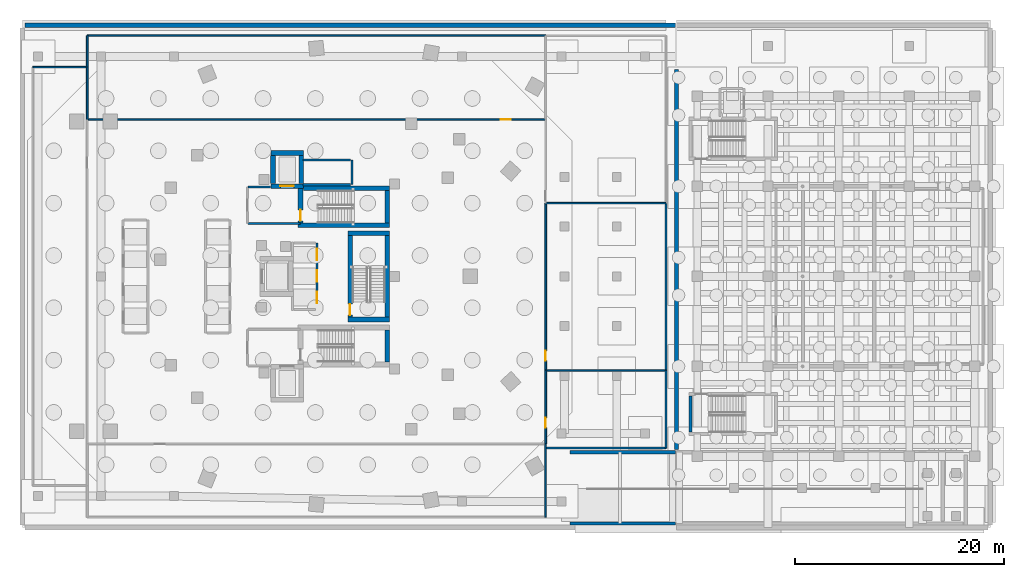
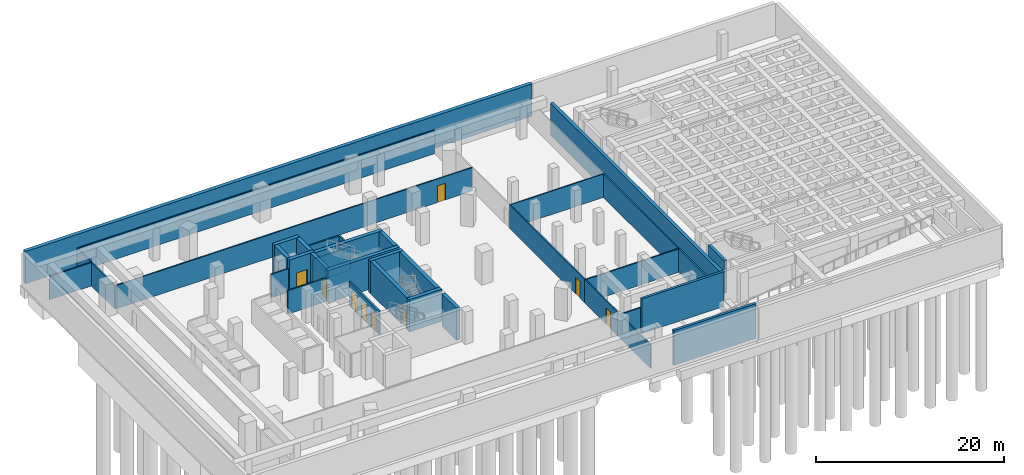
# One storey, part 9 of 15: 37 walls, 9 doors, 9 openings.
"""IFC4 building model written with IfcOpenShell, lengths in metres."""

from ifc_helpers import new_model, si_unit, direction, frame, frame_2d, origin, place, context, subcontext, project, spatial, rectangle, extrude, material, layer, layer_set, type_object, element, fill, save


model = new_model("IFC4")

# Units and contexts
model_context = context("Model", 3, precision=1e-05, world=origin(), true_north=direction((0.0, 1.0)))
body_context = subcontext(model_context, "Body", "Model", "MODEL_VIEW")
ifc_project = project(units=[si_unit("LENGTHUNIT", "METRE"), si_unit("AREAUNIT", "SQUARE_METRE"), si_unit("VOLUMEUNIT", "CUBIC_METRE"), si_unit("PLANEANGLEUNIT", "RADIAN"), si_unit("MASSUNIT", "GRAM", prefix="KILO")], contexts=[model_context])

# Site, building, storey
site_placement = place(None, origin())
site = spatial("IfcSite", under=ifc_project, at=site_placement, CompositionType="ELEMENT")
building_placement = place(site_placement, origin())
building = spatial("IfcBuilding", under=site, at=building_placement, Name="Korentha Bioscience Tower", CompositionType="ELEMENT")
storey_placement = place(building_placement, frame((0.0, 0.0, -9.0)))
storey = spatial("IfcBuildingStorey", under=building, at=storey_placement, Name="B2", CompositionType="ELEMENT", Elevation=-9.0)

# Wall, opening, door
ifc_material_1 = material(Name="Double-Stud Acoustic Gypsum", Category="gypsum")
ifc_layer_1 = layer(ifc_material_1, 0.14990234375, Name="Double-Stud Acoustic Gypsum")
ifc_layer_set_1 = layer_set([ifc_layer_1], Name="Double-Stud Acoustic Gypsum (IW-L150)")
wall_type_1 = type_object("IfcWallType", Name="Acoustic Laboratory Partition Wall 150", PredefinedType="PARTITIONING", material=ifc_layer_set_1)
wall_1_placement = place(storey_placement, frame((52.0, 42.010009765625, 0.0), z_axis=(0.0, 0.0, 1.0), x_axis=(-1.0, 0.0, 0.0)))
wall_1 = element("IfcWall", 1, at=wall_1_placement, inside=storey, type_object=wall_type_1, Name="B2 B2 Staff Car Park Bay North Entrance Wall", PredefinedType="PARTITIONING", context=body_context, shape_type="SweptSolid", body=[
    extrude(rectangle(XDim=43.7900390625, YDim=0.14990234375, at=frame_2d((21.89501953125, 0.0))), origin(), (0.0, 0.0, 1.0), 3.0400390625),
])
opening_1_placement = place(wall_1_placement, frame((3.332763671875, 0.0, 0.0)))
opening_1 = element("IfcOpeningElement", 2, at=opening_1_placement, cuts=wall_1, Name="Opening ID-10R", PredefinedType="OPENING", context=body_context, shape_type="SweptSolid", body=[
    extrude(rectangle(XDim=0.949951171875, YDim=2.14990234375, at=frame_2d((0.47509765625, 1.074951171875))), frame((0.0, 0.08984375, 0.0), z_axis=(0.0, -1.0, 0.0), x_axis=(1.0, 0.0, 0.0)), (0.0, 0.0, 1.0), 0.1796875),
])
ifc_material_2 = material(Name="Phenolic Laminate Timber Core", Category="wood")
door_type_1 = type_object("IfcDoorType", Name="Laboratory Single Leaf Door 950x2150 Right", OperationType="SINGLE_SWING_RIGHT", PredefinedType="DOOR", material=ifc_material_2)
door_1_placement = place(opening_1_placement, origin())
door_1 = element("IfcDoor", 3, at=door_1_placement, inside=storey, type_object=door_type_1, Name="B2 B2 Staff Car Park Bay North Door", OperationType="SINGLE_SWING_RIGHT", OverallHeight=2.14990234375, OverallWidth=0.949951171875, PredefinedType="DOOR", context=body_context, shape_type="SweptSolid", body=[
    extrude(rectangle(XDim=0.949951171875, YDim=2.14990234375, at=frame_2d((0.47509765625, 1.074951171875))), frame((0.0, 0.02490234375, 0.0), z_axis=(0.0, -1.0, 0.0), x_axis=(1.0, 0.0, 0.0)), (0.0, 0.0, 1.0), 0.050048828125),
])
fill(opening_1, door_1)

# Walls
wall_2_placement = place(storey_placement, frame((8.199951171875, 47.0, 0.0), z_axis=(0.0, 0.0, 1.0), x_axis=(0.0, -1.0, 0.0)))
element("IfcWall", 4, at=wall_2_placement, inside=storey, type_object=wall_type_1, Name="B2 Interior Partition 008", PredefinedType="PARTITIONING", context=body_context, shape_type="SweptSolid", body=[
    extrude(rectangle(XDim=4.989990234375, YDim=0.14990234375, at=frame_2d((2.4951171875, 0.0))), origin(), (0.0, 0.0, 1.0), 3.0400390625),
])
wall_3_placement = place(storey_placement, frame((3.0, 47.0, 0.0), z_axis=(0.0, 0.0, 1.0), x_axis=(1.0, 0.0, 0.0)))
element("IfcWall", 5, at=wall_3_placement, inside=storey, type_object=wall_type_1, Name="B2 Interior Partition 012", PredefinedType="PARTITIONING", context=body_context, shape_type="SweptSolid", body=[
    extrude(rectangle(XDim=5.199951171875, YDim=0.14990234375, at=frame_2d((2.60009765625, 0.0))), origin(), (0.0, 0.0, 1.0), 3.0400390625),
])
wall_4_placement = place(storey_placement, frame((8.199951171875, 47.010009765625, 0.0), z_axis=(0.0, 0.0, 1.0), x_axis=(0.0, 1.0, 0.0)))
element("IfcWall", 6, at=wall_4_placement, inside=storey, type_object=wall_type_1, Name="B2 Interior Partition 014", PredefinedType="PARTITIONING", context=body_context, shape_type="SweptSolid", body=[
    extrude(rectangle(XDim=2.989990234375, YDim=0.14990234375, at=frame_2d((1.4951171875, 0.0))), origin(), (0.0, 0.0, 1.0), 3.0400390625),
])
wall_5_placement = place(storey_placement, frame((8.199951171875, 50.0, 0.0), z_axis=(0.0, 0.0, 1.0), x_axis=(1.0, 0.0, 0.0)))
element("IfcWall", 7, at=wall_5_placement, inside=storey, type_object=wall_type_1, Name="B2 Interior Partition 015", PredefinedType="PARTITIONING", context=body_context, shape_type="SweptSolid", body=[
    extrude(rectangle(XDim=43.800048828125, YDim=0.14990234375, at=frame_2d((21.89990234375, 0.0))), origin(), (0.0, 0.0, 1.0), 3.0400390625),
])
wall_6_placement = place(storey_placement, frame((52.0, 10.989990234375, 0.0), z_axis=(0.0, 0.0, 1.0), x_axis=(0.0, -1.0, 0.0)))
element("IfcWall", 8, at=wall_6_placement, inside=storey, type_object=wall_type_1, Name="B2 Interior Partition 018", PredefinedType="PARTITIONING", context=body_context, shape_type="SweptSolid", body=[
    extrude(rectangle(XDim=6.989990234375, YDim=0.14990234375, at=frame_2d((3.4951171875, 0.0))), origin(), (0.0, 0.0, 1.0), 3.0400390625),
])
ifc_material_3 = material(Name="Concrete C50", Category="concrete")
ifc_layer_2 = layer(ifc_material_3, 0.449951171875, Name="Concrete C50")
ifc_layer_set_2 = layer_set([ifc_layer_2], Name="Concrete C50 (RW-01)")
wall_type_2 = type_object("IfcWallType", Name="Basement Perimeter Retaining Wall 450", PredefinedType="USERDEFINED", material=ifc_layer_set_2)
wall_7_placement = place(storey_placement, frame((2.25, 51.0, 0.0), z_axis=(0.0, 0.0, 1.0), x_axis=(1.0, 0.0, 0.0)))
element("IfcWall", 9, at=wall_7_placement, inside=storey, type_object=wall_type_2, Name="B2 Retaining Liner Wall NW", ObjectType="RETAININGWALL", PredefinedType="USERDEFINED", context=body_context, shape_type="SweptSolid", body=[
    extrude(rectangle(XDim=62.169921875, YDim=0.449951171875, at=frame_2d((31.0849609375, 0.0))), origin(), (0.0, 0.0, 1.0), 4.179931640625),
])
ifc_material_4 = material(Name="Gypsum-Clad Steel Stud", Category="steel")
ifc_layer_3 = layer(ifc_material_4, 0.159912109375, Name="Gypsum-Clad Steel Stud")
ifc_layer_set_3 = layer_set([ifc_layer_3], Name="Gypsum-Clad Steel Stud (IW-C160)")
wall_type_3 = type_object("IfcWallType", Name="Fire-Rated Corridor Partition Wall 160", PredefinedType="PARTITIONING", material=ifc_layer_set_3)
wall_8_placement = place(storey_placement, frame((23.580078125, 32.050048828125, 0.0), z_axis=(0.0, 0.0, 1.0), x_axis=(1.0, 0.0, 0.0)))
element("IfcWall", 10, at=wall_8_placement, inside=storey, type_object=wall_type_3, Name="B2 Firefighting Lobby Return Wall FFLN-S", PredefinedType="PARTITIONING", context=body_context, shape_type="SweptSolid", body=[
    extrude(rectangle(XDim=4.969970703125, YDim=0.159912109375, at=frame_2d((2.48486328125, 0.0))), origin(), (0.0, 0.0, 1.0), 3.0400390625),
])
wall_9_placement = place(storey_placement, frame((23.580078125, 35.550048828125, 0.0), z_axis=(0.0, 0.0, 1.0), x_axis=(1.0, 0.0, 0.0)))
element("IfcWall", 11, at=wall_9_placement, inside=storey, type_object=wall_type_3, Name="B2 Firefighting Lobby Return Wall FFLN-N", PredefinedType="PARTITIONING", context=body_context, shape_type="SweptSolid", body=[
    extrude(rectangle(XDim=2.119873046875, YDim=0.159912109375, at=frame_2d((1.06005859375, 0.0))), origin(), (0.0, 0.0, 1.0), 3.0400390625),
])

# Wall, opening, door
wall_10_placement = place(storey_placement, frame((52.010009765625, 18.0, 0.0), z_axis=(0.0, 0.0, 1.0), x_axis=(0.0, 1.0, 0.0)))
wall_10 = element("IfcWall", 12, at=wall_10_placement, inside=storey, type_object=wall_type_3, Name="B2 B2 Primary Chilled-Water & Thermal Ice Plant Entrance Wall", PredefinedType="PARTITIONING", context=body_context, shape_type="SweptSolid", body=[
    extrude(rectangle(XDim=15.989990234375, YDim=0.159912109375, at=frame_2d((7.9951171875, 0.0))), origin(), (0.0, 0.0, 1.0), 3.0400390625),
])
opening_2_placement = place(wall_10_placement, frame((0.950439453125, 0.0, 0.0)))
opening_2 = element("IfcOpeningElement", 13, at=opening_2_placement, cuts=wall_10, Name="Opening FD-120D", PredefinedType="OPENING", context=body_context, shape_type="SweptSolid", body=[
    extrude(rectangle(XDim=0.949951171875, YDim=2.14990234375, at=frame_2d((0.47509765625, 1.074951171875))), frame((0.0, 0.0947265625, 0.0), z_axis=(0.0, -1.0, 0.0), x_axis=(1.0, 0.0, 0.0)), (0.0, 0.0, 1.0), 0.189697265625),
])
ifc_material_5 = material(Name="Heavy-Duty Insulated Steel", Category="steel")
door_type_2 = type_object("IfcDoorType", Name="Plant & Riser Fire Door 950x2150 Left", OperationType="SINGLE_SWING_LEFT", PredefinedType="DOOR", material=ifc_material_5)
door_2_placement = place(opening_2_placement, origin())
door_2 = element("IfcDoor", 14, at=door_2_placement, inside=storey, type_object=door_type_2, Name="B2 B2 Primary Chilled-Water & Thermal Ice Plant Door", OperationType="SINGLE_SWING_LEFT", OverallHeight=2.14990234375, OverallWidth=0.949951171875, PredefinedType="DOOR", context=body_context, shape_type="SweptSolid", body=[
    extrude(rectangle(XDim=0.949951171875, YDim=2.14990234375, at=frame_2d((0.47509765625, 1.074951171875))), frame((0.0, 0.02490234375, 0.0), z_axis=(0.0, -1.0, 0.0), x_axis=(1.0, 0.0, 0.0)), (0.0, 0.0, 1.0), 0.050048828125),
])
fill(opening_2, door_2)

wall_11_placement = place(storey_placement, frame((52.010009765625, 11.0, 0.0), z_axis=(0.0, 0.0, 1.0), x_axis=(0.0, 1.0, 0.0)))
wall_11 = element("IfcWall", 15, at=wall_11_placement, inside=storey, type_object=wall_type_3, Name="B2 B2 Fire Sprinkler Tank & Domestic Booster Pump Room Entrance Wall", PredefinedType="PARTITIONING", context=body_context, shape_type="SweptSolid", body=[
    extrude(rectangle(XDim=6.989990234375, YDim=0.159912109375, at=frame_2d((3.4951171875, 0.0))), origin(), (0.0, 0.0, 1.0), 3.0400390625),
])
opening_3_placement = place(wall_11_placement, frame((1.5400390625, 0.0, 0.0)))
opening_3 = element("IfcOpeningElement", 16, at=opening_3_placement, cuts=wall_11, Name="Opening ID-10R", PredefinedType="OPENING", context=body_context, shape_type="SweptSolid", body=[
    extrude(rectangle(XDim=0.949951171875, YDim=2.14990234375, at=frame_2d((0.47509765625, 1.074951171875))), frame((0.0, 0.0947265625, 0.0), z_axis=(0.0, -1.0, 0.0), x_axis=(1.0, 0.0, 0.0)), (0.0, 0.0, 1.0), 0.189697265625),
])
door_3_placement = place(opening_3_placement, origin())
door_3 = element("IfcDoor", 17, at=door_3_placement, inside=storey, type_object=door_type_1, Name="B2 B2 Fire Sprinkler Tank & Domestic Booster Pump Room Door", OperationType="SINGLE_SWING_RIGHT", OverallHeight=2.14990234375, OverallWidth=0.949951171875, PredefinedType="DOOR", context=body_context, shape_type="SweptSolid", body=[
    extrude(rectangle(XDim=0.949951171875, YDim=2.14990234375, at=frame_2d((0.47509765625, 1.074951171875))), frame((0.0, 0.02490234375, 0.0), z_axis=(0.0, -1.0, 0.0), x_axis=(1.0, 0.0, 0.0)), (0.0, 0.0, 1.0), 0.050048828125),
])
fill(opening_3, door_3)

# Walls
wall_12_placement = place(storey_placement, frame((63.5, 18.0, 0.0), z_axis=(0.0, 0.0, 1.0), x_axis=(-1.0, 0.0, 0.0)))
element("IfcWall", 18, at=wall_12_placement, inside=storey, type_object=wall_type_3, Name="B2 Interior Partition 022", PredefinedType="PARTITIONING", context=body_context, shape_type="SweptSolid", body=[
    extrude(rectangle(XDim=11.489990234375, YDim=0.159912109375, at=frame_2d((5.7451171875, 0.0))), origin(), (0.0, 0.0, 1.0), 3.0400390625),
])
wall_13_placement = place(storey_placement, frame((63.5, 33.989990234375, 0.0), z_axis=(0.0, 0.0, 1.0), x_axis=(0.0, -1.0, 0.0)))
element("IfcWall", 19, at=wall_13_placement, inside=storey, type_object=wall_type_3, Name="B2 Interior Partition 023", PredefinedType="PARTITIONING", context=body_context, shape_type="SweptSolid", body=[
    extrude(rectangle(XDim=15.989990234375, YDim=0.159912109375, at=frame_2d((7.9951171875, 0.0))), origin(), (0.0, 0.0, 1.0), 3.0400390625),
])
wall_14_placement = place(storey_placement, frame((63.5, 10.60009765625, 0.0), z_axis=(0.0, 0.0, 1.0), x_axis=(-1.0, 0.0, 0.0)))
element("IfcWall", 20, at=wall_14_placement, inside=storey, type_object=wall_type_3, Name="B2 Interior Partition 024", PredefinedType="PARTITIONING", context=body_context, shape_type="SweptSolid", body=[
    extrude(rectangle(XDim=11.489990234375, YDim=0.159912109375, at=frame_2d((5.7451171875, 0.0))), origin(), (0.0, 0.0, 1.0), 3.0400390625),
])
wall_15_placement = place(storey_placement, frame((63.5, 17.989990234375, 0.0), z_axis=(0.0, 0.0, 1.0), x_axis=(0.0, -1.0, 0.0)))
element("IfcWall", 21, at=wall_15_placement, inside=storey, type_object=wall_type_3, Name="B2 Interior Partition 025", PredefinedType="PARTITIONING", context=body_context, shape_type="SweptSolid", body=[
    extrude(rectangle(XDim=7.389892578125, YDim=0.159912109375, at=frame_2d((3.69482421875, 0.0))), origin(), (0.0, 0.0, 1.0), 3.0400390625),
])

# Wall, openings, doors
ifc_material_6 = material(Name="Autoclaved Aerated Concrete Block C25", Category="concrete")
ifc_layer_4 = layer(ifc_material_6, 0.199951171875, Name="Autoclaved Aerated Concrete Block C25")
ifc_layer_set_4 = layer_set([ifc_layer_4], Name="Autoclaved Aerated Concrete Block C25 (IW-S200)")
wall_type_4 = type_object("IfcWallType", Name="Lift and Riser Shaft Enclosure Wall 200", PredefinedType="PARTITIONING", material=ifc_layer_set_4)
wall_16_placement = place(storey_placement, frame((30.14990234375, 23.85009765625, 0.0), z_axis=(0.0, 0.0, 1.0), x_axis=(0.0, 1.0, 0.0)))
wall_16 = element("IfcWall", 22, at=wall_16_placement, inside=storey, type_object=wall_type_4, Name="B2 Lift Bank HIGH Shaft Wall +X", PredefinedType="PARTITIONING", context=body_context, shape_type="SweptSolid", body=[
    extrude(rectangle(XDim=6.349853515625, YDim=0.199951171875, at=frame_2d((3.1748046875, 0.0))), origin(), (0.0, 0.0, 1.0), 3.0400390625),
])
opening_4_placement = place(wall_16_placement, frame((0.580078125, 0.0, 0.0)))
opening_4 = element("IfcOpeningElement", 23, at=opening_4_placement, cuts=wall_16, Name="Opening LD-11", PredefinedType="OPENING", context=body_context, shape_type="SweptSolid", body=[
    extrude(rectangle(XDim=1.10009765625, YDim=2.199951171875, at=frame_2d((0.550048828125, 1.10009765625))), frame((0.0, 0.11474609375, 0.0), z_axis=(0.0, -1.0, 0.0), x_axis=(1.0, 0.0, 0.0)), (0.0, 0.0, 1.0), 0.229736328125),
])
opening_5_placement = place(wall_16_placement, frame((2.6201171875, 0.0, 0.0)))
opening_5 = element("IfcOpeningElement", 24, at=opening_5_placement, cuts=wall_16, Name="Opening LD-11", PredefinedType="OPENING", context=body_context, shape_type="SweptSolid", body=[
    extrude(rectangle(XDim=1.10009765625, YDim=2.199951171875, at=frame_2d((0.550048828125, 1.10009765625))), frame((0.0, 0.11474609375, 0.0), z_axis=(0.0, -1.0, 0.0), x_axis=(1.0, 0.0, 0.0)), (0.0, 0.0, 1.0), 0.229736328125),
])
opening_6_placement = place(wall_16_placement, frame((4.669921875, 0.0, 0.0)))
opening_6 = element("IfcOpeningElement", 25, at=opening_6_placement, cuts=wall_16, Name="Opening LD-11", PredefinedType="OPENING", context=body_context, shape_type="SweptSolid", body=[
    extrude(rectangle(XDim=1.10009765625, YDim=2.199951171875, at=frame_2d((0.550048828125, 1.10009765625))), frame((0.0, 0.11474609375, 0.0), z_axis=(0.0, -1.0, 0.0), x_axis=(1.0, 0.0, 0.0)), (0.0, 0.0, 1.0), 0.229736328125),
])
ifc_material_7 = material(Name="Brushed Stainless Steel 304", Category="steel")
door_type_3 = type_object("IfcDoorType", Name="Passenger Lift Sliding Landing Door 1100x2200", OperationType="DOUBLE_DOOR_SLIDING", PredefinedType="DOOR", material=ifc_material_7)
door_4_placement = place(opening_4_placement, origin())
door_4 = element("IfcDoor", 26, at=door_4_placement, inside=storey, type_object=door_type_3, Name="B2 PL-H1 Sliding Lift Landing Door", OperationType="DOUBLE_DOOR_SLIDING", OverallHeight=2.199951171875, OverallWidth=1.10009765625, PredefinedType="DOOR", context=body_context, shape_type="SweptSolid", body=[
    extrude(rectangle(XDim=1.10009765625, YDim=2.199951171875, at=frame_2d((0.550048828125, 1.10009765625))), frame((0.0, 0.02490234375, 0.0), z_axis=(0.0, -1.0, 0.0), x_axis=(1.0, 0.0, 0.0)), (0.0, 0.0, 1.0), 0.050048828125),
])
fill(opening_4, door_4)
door_5_placement = place(opening_5_placement, origin())
door_5 = element("IfcDoor", 27, at=door_5_placement, inside=storey, type_object=door_type_3, Name="B2 PL-H2 Sliding Lift Landing Door", OperationType="DOUBLE_DOOR_SLIDING", OverallHeight=2.199951171875, OverallWidth=1.10009765625, PredefinedType="DOOR", context=body_context, shape_type="SweptSolid", body=[
    extrude(rectangle(XDim=1.10009765625, YDim=2.199951171875, at=frame_2d((0.550048828125, 1.10009765625))), frame((0.0, 0.02490234375, 0.0), z_axis=(0.0, -1.0, 0.0), x_axis=(1.0, 0.0, 0.0)), (0.0, 0.0, 1.0), 0.050048828125),
])
fill(opening_5, door_5)
door_6_placement = place(opening_6_placement, origin())
door_6 = element("IfcDoor", 28, at=door_6_placement, inside=storey, type_object=door_type_3, Name="B2 PL-H3 Sliding Lift Landing Door", OperationType="DOUBLE_DOOR_SLIDING", OverallHeight=2.199951171875, OverallWidth=1.10009765625, PredefinedType="DOOR", context=body_context, shape_type="SweptSolid", body=[
    extrude(rectangle(XDim=1.10009765625, YDim=2.199951171875, at=frame_2d((0.550048828125, 1.10009765625))), frame((0.0, 0.02490234375, 0.0), z_axis=(0.0, -1.0, 0.0), x_axis=(1.0, 0.0, 0.0)), (0.0, 0.0, 1.0), 0.050048828125),
])
fill(opening_6, door_6)

# Walls
wall_17_placement = place(storey_placement, frame((33.489990234375, 35.760009765625, 0.0), z_axis=(0.0, 0.0, 1.0), x_axis=(0.0, 1.0, 0.0)))
element("IfcWall", 29, at=wall_17_placement, inside=storey, type_object=wall_type_4, Name="B2 Lift Bank OBS Shaft Wall +X", PredefinedType="PARTITIONING", context=body_context, shape_type="SweptSolid", body=[
    extrude(rectangle(XDim=2.3798828125, YDim=0.199951171875, at=frame_2d((1.18994140625, 0.0))), origin(), (0.0, 0.0, 1.0), 3.0400390625),
])
for number, where, z_axis, x_axis, name in (
    (30, (28.800048828125, 35.760009765625, 0.0), (0.0, 0.0, 1.0), (1.0, 0.0, 0.0), "B2 Lift Bank OBS Shaft Wall -Y"),
    (31, (28.800048828125, 38.139892578125, 0.0), (0.0, 0.0, 1.0), (1.0, 0.0, 0.0), "B2 Lift Bank OBS Shaft Wall +Y"),
):
    element("IfcWall", number, at=place(storey_placement, frame(where, z_axis=z_axis, x_axis=x_axis)), inside=storey, type_object=wall_type_4, Name=name, PredefinedType="PARTITIONING", context=body_context, shape_type="SweptSolid", body=[
        extrude(rectangle(XDim=4.570068359375, YDim=0.199951171875, at=frame_2d((2.28515625, 0.0))), origin(), (0.0, 0.0, 1.0), 3.0400390625),
    ])
ifc_material_8 = material(Name="Concrete C80", Category="concrete")
ifc_layer_5 = layer(ifc_material_8, 0.449951171875, Name="Concrete C80")
ifc_layer_set_5 = layer_set([ifc_layer_5], Name="Concrete C80 (CW-C80)")
wall_type_5 = type_object("IfcWallType", Name="Lower Core Shear Wall 450", PredefinedType="SHEAR", material=ifc_layer_set_5)
wall_18_placement = place(storey_placement, frame((28.85205078125, 35.425048828125, 0.0), z_axis=(0.0, 0.0, 1.0), x_axis=(1.0, 0.0, 0.0)))
element("IfcWall", 32, at=wall_18_placement, inside=storey, type_object=wall_type_5, Name="B2 Core Shear Wall ST1-N", PredefinedType="SHEAR", context=body_context, shape_type="SweptSolid", body=[
    extrude(rectangle(XDim=8.248046875, YDim=0.449951171875, at=frame_2d((4.1240234375, 0.0))), origin(), (0.0, 0.0, 1.0), 4.179931640625),
])
wall_19_placement = place(storey_placement, frame((28.35009765625, 31.875, 0.0), z_axis=(0.0, 0.0, 1.0), x_axis=(1.0, 0.0, 0.0)))
element("IfcWall", 33, at=wall_19_placement, inside=storey, type_object=wall_type_5, Name="B2 Core Shear Wall ST1-S", PredefinedType="SHEAR", context=body_context, shape_type="SweptSolid", body=[
    extrude(rectangle(XDim=8.75, YDim=0.449951171875, at=frame_2d((4.375, 0.0))), origin(), (0.0, 0.0, 1.0), 4.179931640625),
])
wall_20_placement = place(storey_placement, frame((36.875, 32.110107421875, 0.0), z_axis=(0.0, 0.0, 1.0), x_axis=(0.0, 1.0, 0.0)))
element("IfcWall", 34, at=wall_20_placement, inside=storey, type_object=wall_type_5, Name="B2 Core Shear Wall ST1-E", PredefinedType="SHEAR", context=body_context, shape_type="SweptSolid", body=[
    extrude(rectangle(XDim=3.079833984375, YDim=0.449951171875, at=frame_2d((1.5400390625, 0.0))), origin(), (0.0, 0.0, 1.0), 4.179931640625),
])

# Wall, opening, door
wall_21_placement = place(storey_placement, frame((28.574951171875, 32.110107421875, 0.0), z_axis=(0.0, 0.0, 1.0), x_axis=(0.0, 1.0, 0.0)))
wall_21 = element("IfcWall", 35, at=wall_21_placement, inside=storey, type_object=wall_type_5, Name="B2 Core Shear Wall ST1-W", PredefinedType="SHEAR", context=body_context, shape_type="SweptSolid", body=[
    extrude(rectangle(XDim=3.282958984375, YDim=0.449951171875, at=frame_2d((1.6416015625, 0.0))), origin(), (0.0, 0.0, 1.0), 4.179931640625),
])
opening_7_placement = place(wall_21_placement, frame((0.199951171875, 0.0, 0.0)))
opening_7 = element("IfcOpeningElement", 36, at=opening_7_placement, cuts=wall_21, Name="Opening FD-90L", PredefinedType="OPENING", context=body_context, shape_type="SweptSolid", body=[
    extrude(rectangle(XDim=1.050048828125, YDim=2.14990234375, at=frame_2d((0.52490234375, 1.074951171875))), frame((0.0, 0.23974609375, 0.0), z_axis=(0.0, -1.0, 0.0), x_axis=(1.0, 0.0, 0.0)), (0.0, 0.0, 1.0), 0.479736328125),
])
ifc_material_9 = material(Name="Powder-Coated Fire-Rated Steel", Category="steel")
door_type_4 = type_object("IfcDoorType", Name="Stairwell Fire Exit Door 1050x2150 Left", OperationType="SINGLE_SWING_LEFT", PredefinedType="DOOR", material=ifc_material_9)
door_7_placement = place(opening_7_placement, origin())
door_7 = element("IfcDoor", 37, at=door_7_placement, inside=storey, type_object=door_type_4, Name="B2 ST-1 Fire Exit Stair Door", OperationType="SINGLE_SWING_LEFT", OverallHeight=2.14990234375, OverallWidth=1.050048828125, PredefinedType="DOOR", context=body_context, shape_type="SweptSolid", body=[
    extrude(rectangle(XDim=1.050048828125, YDim=2.14990234375, at=frame_2d((0.52490234375, 1.074951171875))), frame((0.0, 0.02490234375, 0.0), z_axis=(0.0, -1.0, 0.0), x_axis=(1.0, 0.0, 0.0)), (0.0, 0.0, 1.0), 0.050048828125),
])
fill(opening_7, door_7)

# Walls
wall_22_placement = place(storey_placement, frame((36.875, 18.81005859375, 0.0), z_axis=(0.0, 0.0, 1.0), x_axis=(0.0, 1.0, 0.0)))
element("IfcWall", 38, at=wall_22_placement, inside=storey, type_object=wall_type_5, Name="B2 Core Shear Wall ST2-E", PredefinedType="SHEAR", context=body_context, shape_type="SweptSolid", body=[
    extrude(rectangle(XDim=3.079833984375, YDim=0.449951171875, at=frame_2d((1.5400390625, 0.0))), origin(), (0.0, 0.0, 1.0), 4.179931640625),
])
for number, where, z_axis, x_axis, name in (
    (39, (33.10009765625, 31.125, 0.0), (0.0, 0.0, 1.0), (1.0, 0.0, 0.0), "B2 Core Shear Wall ST3-N"),
    (40, (33.10009765625, 22.875, 0.0), (0.0, 0.0, 1.0), (1.0, 0.0, 0.0), "B2 Core Shear Wall ST3-S"),
):
    element("IfcWall", number, at=place(storey_placement, frame(where, z_axis=z_axis, x_axis=x_axis)), inside=storey, type_object=wall_type_5, Name=name, PredefinedType="SHEAR", context=body_context, shape_type="SweptSolid", body=[
        extrude(rectangle(XDim=4.0, YDim=0.449951171875, at=frame_2d((2.0, 0.0))), origin(), (0.0, 0.0, 1.0), 4.179931640625),
    ])
wall_23_placement = place(storey_placement, frame((36.875, 23.110107421875, 0.0), z_axis=(0.0, 0.0, 1.0), x_axis=(0.0, 1.0, 0.0)))
element("IfcWall", 41, at=wall_23_placement, inside=storey, type_object=wall_type_5, Name="B2 Core Shear Wall ST3-E", PredefinedType="SHEAR", context=body_context, shape_type="SweptSolid", body=[
    extrude(rectangle(XDim=7.77978515625, YDim=0.449951171875, at=frame_2d((3.889892578125, 0.0))), origin(), (0.0, 0.0, 1.0), 4.179931640625),
])

# Wall, opening, door
wall_24_placement = place(storey_placement, frame((33.324951171875, 23.110107421875, 0.0), z_axis=(0.0, 0.0, 1.0), x_axis=(0.0, 1.0, 0.0)))
wall_24 = element("IfcWall", 42, at=wall_24_placement, inside=storey, type_object=wall_type_5, Name="B2 Core Shear Wall ST3-W", PredefinedType="SHEAR", context=body_context, shape_type="SweptSolid", body=[
    extrude(rectangle(XDim=7.77978515625, YDim=0.449951171875, at=frame_2d((3.889892578125, 0.0))), origin(), (0.0, 0.0, 1.0), 4.179931640625),
])
opening_8_placement = place(wall_24_placement, frame((0.199951171875, 0.0, 0.0)))
opening_8 = element("IfcOpeningElement", 43, at=opening_8_placement, cuts=wall_24, Name="Opening FD-90L", PredefinedType="OPENING", context=body_context, shape_type="SweptSolid", body=[
    extrude(rectangle(XDim=1.050048828125, YDim=2.14990234375, at=frame_2d((0.52490234375, 1.074951171875))), frame((0.0, 0.23974609375, 0.0), z_axis=(0.0, -1.0, 0.0), x_axis=(1.0, 0.0, 0.0)), (0.0, 0.0, 1.0), 0.479736328125),
])
door_8_placement = place(opening_8_placement, origin())
door_8 = element("IfcDoor", 44, at=door_8_placement, inside=storey, type_object=door_type_4, Name="B2 ST-3 Fire Exit Stair Door", OperationType="SINGLE_SWING_LEFT", OverallHeight=2.14990234375, OverallWidth=1.050048828125, PredefinedType="DOOR", context=body_context, shape_type="SweptSolid", body=[
    extrude(rectangle(XDim=1.050048828125, YDim=2.14990234375, at=frame_2d((0.52490234375, 1.074951171875))), frame((0.0, 0.02490234375, 0.0), z_axis=(0.0, -1.0, 0.0), x_axis=(1.0, 0.0, 0.0)), (0.0, 0.0, 1.0), 0.050048828125),
])
fill(opening_8, door_8)

# Wall
wall_25_placement = place(storey_placement, frame((25.75, 38.800048828125, 0.0), z_axis=(0.0, 0.0, 1.0), x_axis=(1.0, 0.0, 0.0)))
element("IfcWall", 45, at=wall_25_placement, inside=storey, type_object=wall_type_5, Name="B2 Core Shear Wall FFL2-N", PredefinedType="SHEAR", context=body_context, shape_type="SweptSolid", body=[
    extrude(rectangle(XDim=3.10009765625, YDim=0.449951171875, at=frame_2d((1.550048828125, 0.0))), origin(), (0.0, 0.0, 1.0), 4.179931640625),
])

# Wall, opening, door
wall_26_placement = place(storey_placement, frame((25.75, 35.6201171875, 0.0), z_axis=(0.0, 0.0, 1.0), x_axis=(1.0, 0.0, 0.0)))
wall_26 = element("IfcWall", 46, at=wall_26_placement, inside=storey, type_object=wall_type_5, Name="B2 Core Shear Wall FFL2-S", PredefinedType="SHEAR", context=body_context, shape_type="SweptSolid", body=[
    extrude(rectangle(XDim=3.10009765625, YDim=0.449951171875, at=frame_2d((1.550048828125, 0.0))), origin(), (0.0, 0.0, 1.0), 4.179931640625),
])
opening_9_placement = place(wall_26_placement, frame((0.89990234375, 0.0, 0.0)))
opening_9 = element("IfcOpeningElement", 47, at=opening_9_placement, cuts=wall_26, Name="Opening LD-13", PredefinedType="OPENING", context=body_context, shape_type="SweptSolid", body=[
    extrude(rectangle(XDim=1.300048828125, YDim=2.199951171875, at=frame_2d((0.64990234375, 1.10009765625))), frame((0.0, 0.23974609375, 0.0), z_axis=(0.0, -1.0, 0.0), x_axis=(1.0, 0.0, 0.0)), (0.0, 0.0, 1.0), 0.479736328125),
])
ifc_material_10 = material(Name="Brushed Stainless Steel 316", Category="steel")
door_type_5 = type_object("IfcDoorType", Name="Service & Firefighting Lift Landing Door 1300x2300", OperationType="DOUBLE_DOOR_SLIDING", PredefinedType="DOOR", material=ifc_material_10)
door_9_placement = place(opening_9_placement, origin())
door_9 = element("IfcDoor", 48, at=door_9_placement, inside=storey, type_object=door_type_5, Name="B2 FFL-2 Sliding Lift Landing Door", OperationType="DOUBLE_DOOR_SLIDING", OverallHeight=2.199951171875, OverallWidth=1.300048828125, PredefinedType="DOOR", context=body_context, shape_type="SweptSolid", body=[
    extrude(rectangle(XDim=1.300048828125, YDim=2.199951171875, at=frame_2d((0.64990234375, 1.10009765625))), frame((0.0, 0.02490234375, 0.0), z_axis=(0.0, -1.0, 0.0), x_axis=(1.0, 0.0, 0.0)), (0.0, 0.0, 1.0), 0.050048828125),
])
fill(opening_9, door_9)

# Walls
for number, where, z_axis, x_axis, name in (
    (49, (25.949951171875, 35.860107421875, 0.0), (0.0, 0.0, 1.0), (0.0, 1.0, 0.0), "B2 Core Shear Wall FFL2-W"),
    (50, (28.64990234375, 35.860107421875, 0.0), (0.0, 0.0, 1.0), (0.0, 1.0, 0.0), "B2 Core Shear Wall FFL2-E"),
):
    element("IfcWall", number, at=place(storey_placement, frame(where, z_axis=z_axis, x_axis=x_axis)), inside=storey, type_object=wall_type_5, Name=name, PredefinedType="SHEAR", context=body_context, shape_type="SweptSolid", body=[
        extrude(rectangle(XDim=2.699951171875, YDim=0.449951171875, at=frame_2d((1.35009765625, 0.0))), origin(), (0.0, 0.0, 1.0), 4.179931640625),
    ])
ifc_layer_6 = layer(ifc_material_3, 0.300048828125, Name="Concrete C50")
ifc_layer_set_6 = layer_set([ifc_layer_6], Name="Concrete C50 (RW-SH300)")
wall_type_6 = type_object("IfcWallType", Name="Ramp Shaft Structural Wall 300", PredefinedType="SHEAR", material=ifc_layer_set_6)
for number, where, z_axis, x_axis, name in (
    (51, (54.35009765625, 10.199951171875, 0.0), (0.0, 0.0, 1.0), (1.0, 0.0, 0.0), "B2 Vehicle Ramp Enclosure Wall NW"),
    (52, (54.35009765625, 3.39990234375, 0.0), (0.0, 0.0, 1.0), (1.0, 0.0, 0.0), "B2 Vehicle Ramp Enclosure Wall SW"),
):
    element("IfcWall", number, at=place(storey_placement, frame(where, z_axis=z_axis, x_axis=x_axis)), inside=storey, type_object=wall_type_6, Name=name, PredefinedType="SHEAR", context=body_context, shape_type="SweptSolid", body=[
        extrude(rectangle(XDim=10.06982421875, YDim=0.300048828125, at=frame_2d((5.034912109375, 0.0))), origin(), (0.0, 0.0, 1.0), 4.5),
    ])
ifc_layer_7 = layer(ifc_material_3, 0.320068359375, Name="Concrete C50")
ifc_layer_set_7 = layer_set([ifc_layer_7], Name="Concrete C50 (TW-S320)")
wall_type_7 = type_object("IfcWallType", Name="Theatre Acoustic Shell Inner Wall 320", PredefinedType="SHEAR", material=ifc_layer_set_7)
wall_27_placement = place(storey_placement, frame((65.840087890625, 12.110107421875, 0.0), z_axis=(0.0, 0.0, 1.0), x_axis=(0.0, 1.0, 0.0)))
element("IfcWall", 53, at=wall_27_placement, inside=storey, type_object=wall_type_7, Name="B2 Theatre Substructure Wall STT1-W", PredefinedType="SHEAR", context=body_context, shape_type="SweptSolid", body=[
    extrude(rectangle(XDim=3.47998046875, YDim=0.320068359375, at=frame_2d((1.739990234375, 0.0))), origin(), (0.0, 0.0, 1.0), 4.179931640625),
])
ifc_layer_8 = layer(ifc_material_3, 0.3798828125, Name="Concrete C50")
ifc_layer_set_8 = layer_set([ifc_layer_8], Name="Concrete C50 (TW-I380)")
wall_type_8 = type_object("IfcWallType", Name="Theatre Proscenium Shear Wall 380", PredefinedType="SHEAR", material=ifc_layer_set_8)
wall_28_placement = place(storey_placement, frame((64.5, 10.449951171875, 0.0), z_axis=(0.0, 0.0, 1.0), x_axis=(0.0, 1.0, 0.0)))
element("IfcWall", 54, at=wall_28_placement, inside=storey, type_object=wall_type_8, Name="B2 Theatre West Joint Substructure Shear Wall", PredefinedType="SHEAR", context=body_context, shape_type="SweptSolid", body=[
    extrude(rectangle(XDim=36.300048828125, YDim=0.3798828125, at=frame_2d((18.14990234375, 0.0))), origin(), (0.0, 0.0, 1.0), 4.179931640625),
])
ifc_material_11 = material(Name="Cement-Board Steel Stud", Category="steel")
ifc_layer_9 = layer(ifc_material_11, 0.1298828125, Name="Cement-Board Steel Stud")
ifc_layer_set_9 = layer_set([ifc_layer_9], Name="Cement-Board Steel Stud (IW-W130)")
wall_type_9 = type_object("IfcWallType", Name="Wet-Area Moisture-Resistant Partition 130", PredefinedType="PARTITIONING", material=ifc_layer_set_9)
wall_29_placement = place(storey_placement, frame((63.5, 34.0, 0.0), z_axis=(0.0, 0.0, 1.0), x_axis=(-1.0, 0.0, 0.0)))
element("IfcWall", 55, at=wall_29_placement, inside=storey, type_object=wall_type_9, Name="B2 Interior Partition 020", PredefinedType="PARTITIONING", context=body_context, shape_type="SweptSolid", body=[
    extrude(rectangle(XDim=11.489990234375, YDim=0.1298828125, at=frame_2d((5.7451171875, 0.0))), origin(), (0.0, 0.0, 1.0), 3.0400390625),
])

save(model, "model.ifc")
